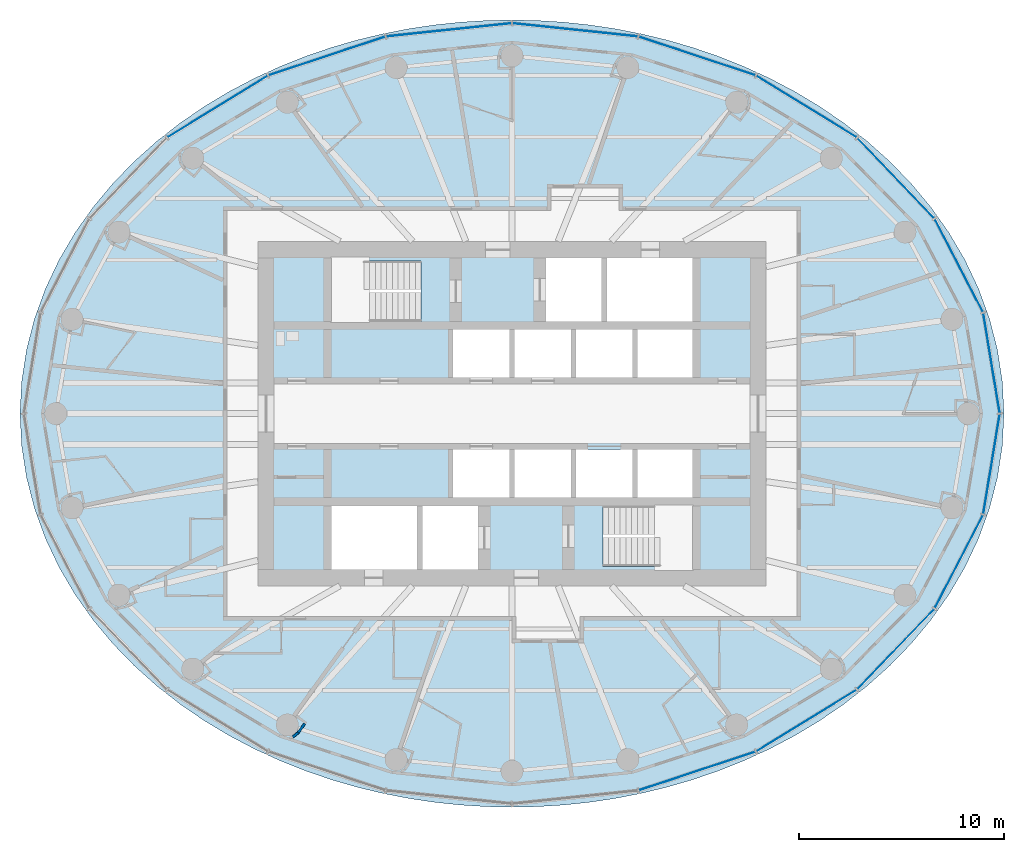
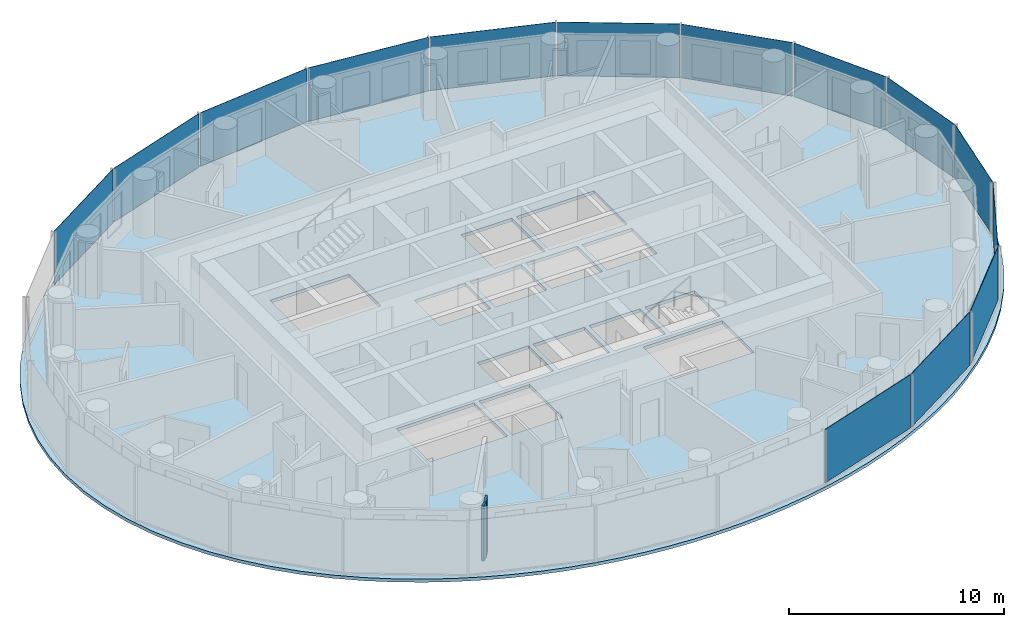
# One storey, part 5 of 14: 14 plates, 2 walls, 1 slab, 3 elements without a shape of their own.
"""IFC4 building model written with IfcOpenShell, lengths in metres."""

from ifc_helpers import new_model, si_unit, direction, frame, frame_2d, origin, origin_2d, place, context, subcontext, project, spatial, polyline, rectangle, outline, extrude, material, layer, layer_set, type_object, element, aggregate, save


model = new_model("IFC4")

# Units and contexts
model_context = context("Model", 3, precision=1e-05, world=origin(), true_north=direction((0.0, 1.0)))
body_context = subcontext(model_context, "Body", "Model", "MODEL_VIEW")
ifc_project = project(units=[si_unit("LENGTHUNIT", "METRE"), si_unit("AREAUNIT", "SQUARE_METRE"), si_unit("VOLUMEUNIT", "CUBIC_METRE"), si_unit("PLANEANGLEUNIT", "RADIAN"), si_unit("MASSUNIT", "GRAM", prefix="KILO")], contexts=[model_context])

# Site, building, storey
site_placement = place(None, origin())
site = spatial("IfcSite", under=ifc_project, at=site_placement, CompositionType="ELEMENT")
building_placement = place(site_placement, origin())
building = spatial("IfcBuilding", under=site, at=building_placement, Name="Hankou Lantern Tower", CompositionType="ELEMENT")
storey_placement = place(building_placement, frame((0.0, 0.0, 176.39990234375)))
storey = spatial("IfcBuildingStorey", under=building, at=storey_placement, Name="L47", CompositionType="ELEMENT", Elevation=176.39990234375)

# Curtain wall, plates
ifc_material_1 = material(Name="Glass, dark grey tinted laminated", Category="glass")
curtain_wall_type = type_object("IfcCurtainWallType", Name="CWC OUTER SKIN HIGH-RISE", PredefinedType="USERDEFINED", material=ifc_material_1)
curtain_wall_1_placement = place(storey_placement, origin())
curtain_wall_1 = element("IfcCurtainWall", 1, at=curtain_wall_1_placement, inside=storey, type_object=curtain_wall_type, Name="CWC L47 OS1", ObjectType="OUTER SKIN HIGH-RISE", PredefinedType="USERDEFINED")
ifc_material_2 = material(Name="Glass, dark grey tinted laminated", Category="glass")
ifc_layer_1 = layer(ifc_material_2, 0.02392578125)
ifc_layer_set_1 = layer_set([ifc_layer_1], Name="Glass, dark grey tinted laminated")
plate_type = type_object("IfcPlateType", Name="PN1 OUTER SKIN GLASS PANEL", PredefinedType="CURTAIN_PANEL", material=ifc_layer_set_1)
plate_1_placement = place(storey_placement, frame((23.39453125, 2.4638671875, 0.080078125), z_axis=(0.0, 0.0, 1.0), x_axis=(-0.162381515188, 0.986728049427, 0.0)))
plate_1 = element("IfcPlate", 2, at=plate_1_placement, type_object=plate_type, Name="CWC glass panel 1", PredefinedType="CURTAIN_PANEL", context=body_context, shape_type="SweptSolid", body=[
    extrude(rectangle(XDim=4.914306640625, YDim=0.02392578125, at=origin_2d()), origin(), (0.0, 0.0, 1.0), 3.0400390625),
])
plate_2_placement = place(storey_placement, frame((21.80029296875, 7.223876953125, 0.080078125), z_axis=(0.0, 0.0, 1.0), x_axis=(-0.459791091957, 0.888027112062, 0.0)))
plate_2 = element("IfcPlate", 3, at=plate_2_placement, type_object=plate_type, Name="CWC glass panel 2", PredefinedType="CURTAIN_PANEL", context=body_context, shape_type="SweptSolid", body=[
    extrude(rectangle(XDim=5.091064453125, YDim=0.02392578125, at=origin_2d()), origin(), (0.0, 0.0, 1.0), 3.0400390625),
])
plate_3_placement = place(storey_placement, frame((18.72021484375, 11.49169921875, 0.080078125), z_axis=(0.0, 0.0, 1.0), x_axis=(-0.692215809936, 0.721690565599, 0.0)))
plate_3 = element("IfcPlate", 4, at=plate_3_placement, type_object=plate_type, Name="CWC glass panel 3", PredefinedType="CURTAIN_PANEL", context=body_context, shape_type="SweptSolid", body=[
    extrude(rectangle(XDim=5.384033203125, YDim=0.02392578125, at=origin_2d()), origin(), (0.0, 0.0, 1.0), 3.0400390625),
])
plate_4_placement = place(storey_placement, frame((14.364501953125, 14.976318359375, 0.080078125), z_axis=(0.0, 0.0, 1.0), x_axis=(-0.852237151549, 0.523155653242, 0.0)))
plate_4 = element("IfcPlate", 5, at=plate_4_placement, type_object=plate_type, Name="CWC glass panel 4", PredefinedType="CURTAIN_PANEL", context=body_context, shape_type="SweptSolid", body=[
    extrude(rectangle(XDim=5.703857421875, YDim=0.02392578125, at=origin_2d()), origin(), (0.0, 0.0, 1.0), 3.0400390625),
])
plate_5_placement = place(storey_placement, frame((9.030029296875, 17.440185546875, 0.080078125), z_axis=(0.0, 0.0, 1.0), x_axis=(-0.949240677293, 0.31455068999, 0.0)))
plate_5 = element("IfcPlate", 6, at=plate_5_placement, type_object=plate_type, Name="CWC glass panel 5", PredefinedType="CURTAIN_PANEL", context=body_context, shape_type="SweptSolid", body=[
    extrude(rectangle(XDim=5.967041015625, YDim=0.02392578125, at=origin_2d()), origin(), (0.0, 0.0, 1.0), 3.0400390625),
])
plate_6_placement = place(storey_placement, frame((3.079833984375, 18.715576171875, 0.080078125), z_axis=(0.0, 0.0, 1.0), x_axis=(-0.994499359107, 0.104742659579, 0.0)))
plate_6 = element("IfcPlate", 7, at=plate_6_placement, type_object=plate_type, Name="CWC glass panel 6", PredefinedType="CURTAIN_PANEL", context=body_context, shape_type="SweptSolid", body=[
    extrude(rectangle(XDim=6.114013671875, YDim=0.02392578125, at=origin_2d()), origin(), (0.0, 0.0, 1.0), 3.0400390625),
])
aggregate(curtain_wall_1, [plate_1, plate_2, plate_3, plate_4, plate_5, plate_6])

curtain_wall_2_placement = place(storey_placement, origin())
curtain_wall_2 = element("IfcCurtainWall", 8, at=curtain_wall_2_placement, inside=storey, type_object=curtain_wall_type, Name="CWC L47 OS2", ObjectType="OUTER SKIN HIGH-RISE", PredefinedType="USERDEFINED")
plate_7_placement = place(storey_placement, frame((-3.079833984375, 18.715576171875, 0.080078125), z_axis=(0.0, 0.0, 1.0), x_axis=(-0.994499359107, -0.104742659579, 0.0)))
plate_7 = element("IfcPlate", 9, at=plate_7_placement, type_object=plate_type, Name="CWC glass panel 1", PredefinedType="CURTAIN_PANEL", context=body_context, shape_type="SweptSolid", body=[
    extrude(rectangle(XDim=6.114013671875, YDim=0.02392578125, at=origin_2d()), origin(), (0.0, 0.0, 1.0), 3.0400390625),
])
plate_8_placement = place(storey_placement, frame((-9.030029296875, 17.440185546875, 0.080078125), z_axis=(0.0, 0.0, 1.0), x_axis=(-0.949240677293, -0.31455068999, 0.0)))
plate_8 = element("IfcPlate", 10, at=plate_8_placement, type_object=plate_type, Name="CWC glass panel 2", PredefinedType="CURTAIN_PANEL", context=body_context, shape_type="SweptSolid", body=[
    extrude(rectangle(XDim=5.967041015625, YDim=0.02392578125, at=origin_2d()), origin(), (0.0, 0.0, 1.0), 3.0400390625),
])
plate_9_placement = place(storey_placement, frame((-14.364501953125, 14.976318359375, 0.080078125), z_axis=(0.0, 0.0, 1.0), x_axis=(-0.852237151549, -0.523155653242, 0.0)))
plate_9 = element("IfcPlate", 11, at=plate_9_placement, type_object=plate_type, Name="CWC glass panel 3", PredefinedType="CURTAIN_PANEL", context=body_context, shape_type="SweptSolid", body=[
    extrude(rectangle(XDim=5.703857421875, YDim=0.02392578125, at=origin_2d()), origin(), (0.0, 0.0, 1.0), 3.0400390625),
])
aggregate(curtain_wall_2, [plate_7, plate_8, plate_9])

curtain_wall_3_placement = place(storey_placement, origin())
curtain_wall_3 = element("IfcCurtainWall", 12, at=curtain_wall_3_placement, inside=storey, type_object=curtain_wall_type, Name="CWC L47 OS4", ObjectType="OUTER SKIN HIGH-RISE", PredefinedType="USERDEFINED")
plate_10_placement = place(storey_placement, frame((9.030029296875, -17.440185546875, 0.080078125), z_axis=(0.0, 0.0, 1.0), x_axis=(0.949240677293, 0.31455068999, 0.0)))
plate_10 = element("IfcPlate", 13, at=plate_10_placement, type_object=plate_type, Name="CWC glass panel 2", PredefinedType="CURTAIN_PANEL", context=body_context, shape_type="SweptSolid", body=[
    extrude(rectangle(XDim=5.967041015625, YDim=0.02392578125, at=origin_2d()), origin(), (0.0, 0.0, 1.0), 3.0400390625),
])
plate_11_placement = place(storey_placement, frame((14.364501953125, -14.976318359375, 0.080078125), z_axis=(0.0, 0.0, 1.0), x_axis=(0.852237151549, 0.523155653242, 0.0)))
plate_11 = element("IfcPlate", 14, at=plate_11_placement, type_object=plate_type, Name="CWC glass panel 3", PredefinedType="CURTAIN_PANEL", context=body_context, shape_type="SweptSolid", body=[
    extrude(rectangle(XDim=5.703857421875, YDim=0.02392578125, at=origin_2d()), origin(), (0.0, 0.0, 1.0), 3.0400390625),
])
plate_12_placement = place(storey_placement, frame((18.72021484375, -11.49169921875, 0.080078125), z_axis=(0.0, 0.0, 1.0), x_axis=(0.692215809936, 0.721690565599, 0.0)))
plate_12 = element("IfcPlate", 15, at=plate_12_placement, type_object=plate_type, Name="CWC glass panel 4", PredefinedType="CURTAIN_PANEL", context=body_context, shape_type="SweptSolid", body=[
    extrude(rectangle(XDim=5.384033203125, YDim=0.02392578125, at=origin_2d()), origin(), (0.0, 0.0, 1.0), 3.0400390625),
])
plate_13_placement = place(storey_placement, frame((21.80029296875, -7.223876953125, 0.080078125), z_axis=(0.0, 0.0, 1.0), x_axis=(0.459791091957, 0.888027112062, 0.0)))
plate_13 = element("IfcPlate", 16, at=plate_13_placement, type_object=plate_type, Name="CWC glass panel 5", PredefinedType="CURTAIN_PANEL", context=body_context, shape_type="SweptSolid", body=[
    extrude(rectangle(XDim=5.091064453125, YDim=0.02392578125, at=origin_2d()), origin(), (0.0, 0.0, 1.0), 3.0400390625),
])
plate_14_placement = place(storey_placement, frame((23.39453125, -2.4638671875, 0.080078125), z_axis=(0.0, 0.0, 1.0), x_axis=(0.162381515188, 0.986728049427, 0.0)))
plate_14 = element("IfcPlate", 17, at=plate_14_placement, type_object=plate_type, Name="CWC glass panel 6", PredefinedType="CURTAIN_PANEL", context=body_context, shape_type="SweptSolid", body=[
    extrude(rectangle(XDim=4.914306640625, YDim=0.02392578125, at=origin_2d()), origin(), (0.0, 0.0, 1.0), 3.0400390625),
])
aggregate(curtain_wall_3, [plate_10, plate_11, plate_12, plate_13, plate_14])

# Slab
ifc_material_3 = material(Name="Concrete C50", Category="concrete")
ifc_layer_2 = layer(ifc_material_3, 0.179931640625)
ifc_layer_set_2 = layer_set([ifc_layer_2], Name="Concrete C50")
slab_type = type_object("IfcSlabType", Name="S1 CONCRETE FLOOR SLAB 180", PredefinedType="FLOOR", material=ifc_layer_set_2)
slab_placement = place(storey_placement, frame((0.0, 0.0, -0.179931640625)))
element("IfcSlab", 18, at=slab_placement, inside=storey, type_object=slab_type, Name="Floor slab L47", PredefinedType="FLOOR", context=body_context, shape_type="SweptSolid", body=[
    extrude(outline(polyline([(24.0, 0.0), (23.919921875, 1.56787109375), (23.681396484375, 3.11767578125), (23.290771484375, 4.6328125), (22.75732421875, 6.097900390625), (22.09326171875, 7.499755859375), (21.312744140625, 8.827880859375), (20.43017578125, 10.0751953125), (19.461181640625, 11.23583984375), (18.420166015625, 12.307861328125), (17.320556640625, 13.29052734375), (16.174560546875, 14.184814453125), (14.99267578125, 14.99267578125), (13.783935546875, 15.717529296875), (12.5556640625, 16.363037109375), (11.31396484375, 16.9326171875), (10.0634765625, 17.4306640625), (8.8076171875, 17.8603515625), (7.54931640625, 18.225341796875), (6.289794921875, 18.52880859375), (5.0302734375, 18.7734375), (3.771728515625, 18.96142578125), (2.513916015625, 19.094482421875), (1.256591796875, 19.173583984375), (0.0, 19.199951171875), (-1.256591796875, 19.173583984375), (-2.513916015625, 19.094482421875), (-3.771728515625, 18.96142578125), (-5.0302734375, 18.7734375), (-6.289794921875, 18.52880859375), (-7.54931640625, 18.225341796875), (-8.8076171875, 17.8603515625), (-10.0634765625, 17.4306640625), (-11.31396484375, 16.9326171875), (-12.5556640625, 16.363037109375), (-13.783935546875, 15.717529296875), (-14.99267578125, 14.99267578125), (-16.174560546875, 14.184814453125), (-17.320556640625, 13.29052734375), (-18.420166015625, 12.307861328125), (-19.461181640625, 11.23583984375), (-20.43017578125, 10.0751953125), (-21.312744140625, 8.827880859375), (-22.09326171875, 7.499755859375), (-22.75732421875, 6.097900390625), (-23.290771484375, 4.6328125), (-23.681396484375, 3.11767578125), (-23.919921875, 1.56787109375), (-24.0, 0.0), (-23.919921875, -1.56787109375), (-23.681396484375, -3.11767578125), (-23.290771484375, -4.6328125), (-22.75732421875, -6.097900390625), (-22.09326171875, -7.499755859375), (-21.312744140625, -8.827880859375), (-20.43017578125, -10.0751953125), (-19.461181640625, -11.23583984375), (-18.420166015625, -12.307861328125), (-17.320556640625, -13.29052734375), (-16.174560546875, -14.184814453125), (-14.99267578125, -14.99267578125), (-13.783935546875, -15.717529296875), (-12.5556640625, -16.363037109375), (-11.31396484375, -16.9326171875), (-10.0634765625, -17.4306640625), (-8.8076171875, -17.8603515625), (-7.54931640625, -18.225341796875), (-6.289794921875, -18.52880859375), (-5.0302734375, -18.7734375), (-3.771728515625, -18.96142578125), (-2.513916015625, -19.094482421875), (-1.256591796875, -19.173583984375), (0.0, -19.199951171875), (1.256591796875, -19.173583984375), (2.513916015625, -19.094482421875), (3.771728515625, -18.96142578125), (5.0302734375, -18.7734375), (6.289794921875, -18.52880859375), (7.54931640625, -18.225341796875), (8.8076171875, -17.8603515625), (10.0634765625, -17.4306640625), (11.31396484375, -16.9326171875), (12.5556640625, -16.363037109375), (13.783935546875, -15.717529296875), (14.99267578125, -14.99267578125), (16.174560546875, -14.184814453125), (17.320556640625, -13.29052734375), (18.420166015625, -12.307861328125), (19.461181640625, -11.23583984375), (20.43017578125, -10.0751953125), (21.312744140625, -8.827880859375), (22.09326171875, -7.499755859375), (22.75732421875, -6.097900390625), (23.290771484375, -4.6328125), (23.681396484375, -3.11767578125), (23.919921875, -1.56787109375), (24.0, 0.0)]), holes=[polyline([(-2.875, 4.10009765625), (-0.125, 4.10009765625), (-0.125, 1.75), (-2.875, 1.75), (-2.875, 4.10009765625)]), polyline([(0.125, 4.10009765625), (2.875, 4.10009765625), (2.875, 1.75), (0.125, 1.75), (0.125, 4.10009765625)]), polyline([(3.125, 4.10009765625), (5.875, 4.10009765625), (5.875, 1.75), (3.125, 1.75), (3.125, 4.10009765625)]), polyline([(6.125, 4.10009765625), (8.800048828125, 4.10009765625), (8.800048828125, 1.75), (6.125, 1.75), (6.125, 4.10009765625)]), polyline([(-2.875, -1.75), (-0.125, -1.75), (-0.125, -4.10009765625), (-2.875, -4.10009765625), (-2.875, -1.75)]), polyline([(0.125, -1.75), (2.875, -1.75), (2.875, -4.10009765625), (0.125, -4.10009765625), (0.125, -1.75)]), polyline([(3.125, -1.75), (5.875, -1.75), (5.875, -4.10009765625), (3.125, -4.10009765625), (3.125, -1.75)]), polyline([(6.125, -1.75), (8.800048828125, -1.75), (8.800048828125, -4.10009765625), (6.125, -4.10009765625), (6.125, -1.75)]), polyline([(1.64990234375, 7.60009765625), (4.375, 7.60009765625), (4.375, 4.5), (1.64990234375, 4.5), (1.64990234375, 7.60009765625)]), polyline([(-4.375, -4.5), (-1.64990234375, -4.5), (-1.64990234375, -7.60009765625), (-4.375, -7.60009765625), (-4.375, -4.5)]), polyline([(-8.699951171875, 7.449951171875), (-4.449951171875, 7.449951171875), (-4.449951171875, 4.5), (-8.699951171875, 4.5), (-8.699951171875, 7.449951171875)]), polyline([(4.449951171875, -4.5), (8.699951171875, -4.5), (8.699951171875, -7.449951171875), (4.449951171875, -7.449951171875), (4.449951171875, -4.5)]), polyline([(4.625, 7.60009765625), (8.800048828125, 7.60009765625), (8.800048828125, 4.5), (4.625, 4.5), (4.625, 7.60009765625)]), polyline([(-8.800048828125, -4.5), (-4.625, -4.5), (-4.625, -7.60009765625), (-8.800048828125, -7.60009765625), (-8.800048828125, -4.5)])]), origin(), (0.0, 0.0, 1.0), 0.179931640625),
])

# Walls
ifc_material_4 = material(Name="Masonry lightweight concrete block", Category="masonry")
ifc_layer_3 = layer(ifc_material_4, 0.1201171875)
ifc_layer_set_3 = layer_set([ifc_layer_3], Name="Masonry lightweight concrete block")
wall_type = type_object("IfcWallType", Name="IW4 PARTITION 120", PredefinedType="PARTITIONING", material=ifc_layer_set_3)
wall_1_placement = place(storey_placement, frame((-10.10888671875, -15.121826171875, 0.0), z_axis=(0.0, 0.0, 1.0), x_axis=(-0.585344718358, -0.810784534072, 0.0)))
element("IfcWall", 19, at=wall_1_placement, inside=storey, type_object=wall_type, Name="Column casing R17", PredefinedType="PARTITIONING", context=body_context, shape_type="SweptSolid", body=[
    extrude(rectangle(XDim=0.550048828125, YDim=0.1201171875, at=frame_2d((0.27490234375, 0.0))), origin(), (0.0, 0.0, 1.0), 3.1201171875),
])
wall_2_placement = place(storey_placement, frame((-10.430908203125, -15.56787109375, 0.0), z_axis=(0.0, 0.0, 1.0), x_axis=(-0.77505137267, -0.631898227345, 0.0)))
element("IfcWall", 20, at=wall_2_placement, inside=storey, type_object=wall_type, Name="Column casing R17", PredefinedType="PARTITIONING", context=body_context, shape_type="SweptSolid", body=[
    extrude(rectangle(XDim=0.337646484375, YDim=0.1201171875, at=frame_2d((0.1689453125, 0.0))), origin(), (0.0, 0.0, 1.0), 3.1201171875),
])

save(model, "model.ifc")
